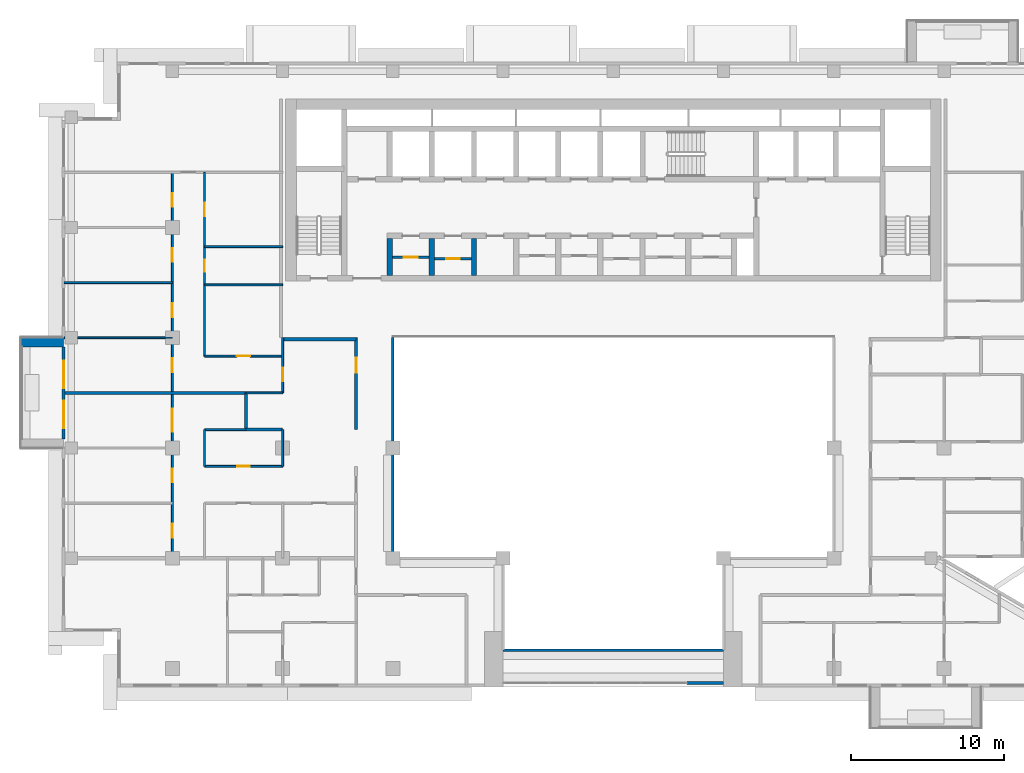
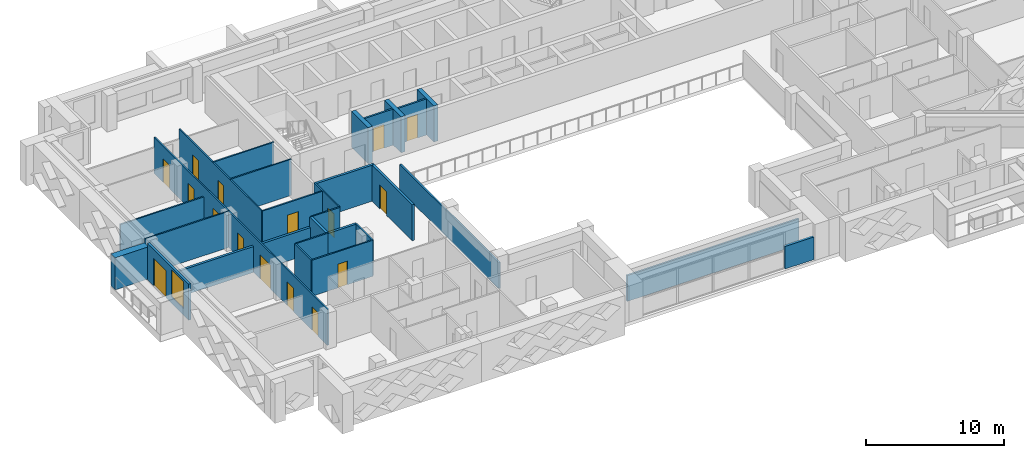
# One storey, part 7 of 20: 28 walls, 16 doors, 1 window, 17 openings.
"""IFC4 building model written with IfcOpenShell, lengths in metres."""

from ifc_helpers import new_model, si_unit, direction, frame, frame_2d, origin, place, context, subcontext, project, spatial, rectangle, extrude, material, layer, layer_set, type_object, element, fill, save


model = new_model("IFC4")

# Units and contexts
model_context = context("Model", 3, precision=1e-05, world=origin(), true_north=direction((0.0, 1.0)))
body_context = subcontext(model_context, "Body", "Model", "MODEL_VIEW")
ifc_project = project(units=[si_unit("LENGTHUNIT", "METRE"), si_unit("AREAUNIT", "SQUARE_METRE"), si_unit("VOLUMEUNIT", "CUBIC_METRE"), si_unit("PLANEANGLEUNIT", "RADIAN"), si_unit("MASSUNIT", "GRAM", prefix="KILO")], contexts=[model_context])

# Site, building, storey
site_placement = place(None, origin())
site = spatial("IfcSite", under=ifc_project, at=site_placement, CompositionType="ELEMENT")
building_placement = place(site_placement, origin())
building = spatial("IfcBuilding", under=site, at=building_placement, Name="Saffron Iwan Residences", CompositionType="ELEMENT")
storey_placement = place(building_placement, frame((0.0, 0.0, 185.0)))
storey = spatial("IfcBuildingStorey", under=building, at=storey_placement, Name="L49", CompositionType="ELEMENT", Elevation=185.0)

# Walls
ifc_material_1 = material(Name="Fire-rated glazing", Category="glass")
ifc_layer_1 = layer(ifc_material_1, 0.14990234375)
ifc_layer_set_1 = layer_set([ifc_layer_1], Name="Fire-rated glazing")
wall_type_1 = type_object("IfcWallType", Name="Atrium glazed screen 150", PredefinedType="SOLIDWALL", material=ifc_layer_set_1)
wall_1_placement = place(storey_placement, frame((43.199951171875, 42.0, 0.0), z_axis=(0.0, 0.0, 1.0), x_axis=(1.0, 0.0, 0.0)))
element("IfcWall", 1, at=wall_1_placement, inside=storey, type_object=wall_type_1, Name="W-L49-SCREEN-h42-43.2", PredefinedType="SOLIDWALL", context=body_context, shape_type="SweptSolid", body=[
    extrude(rectangle(XDim=14.400146484375, YDim=0.14990234375, at=frame_2d((7.2001953125, 0.0))), origin(), (0.0, 0.0, 1.0), 2.300048828125),
])
wall_2_placement = place(storey_placement, frame((36.0, 48.0, 0.0), z_axis=(0.0, 0.0, 1.0), x_axis=(0.0, 1.0, 0.0)))
element("IfcWall", 2, at=wall_2_placement, inside=storey, type_object=wall_type_1, Name="W-L49-SCREEN-v36-48", PredefinedType="SOLIDWALL", context=body_context, shape_type="SweptSolid", body=[
    extrude(rectangle(XDim=14.39990234375, YDim=0.14990234375, at=frame_2d((7.199951171875, 0.0))), origin(), (0.0, 0.0, 1.0), 2.300048828125),
])
ifc_material_2 = material(Name="Concrete C50/60 white painted", Category="concrete")
ifc_layer_2 = layer(ifc_material_2, 0.60009765625)
ifc_layer_set_2 = layer_set([ifc_layer_2], Name="Concrete C50/60 white painted")
wall_type_2 = type_object("IfcWallType", Name="BALCONY FIN 600", PredefinedType="SOLIDWALL", material=ifc_layer_set_2)
wall_3_placement = place(storey_placement, frame((14.5, 62.10009765625, 0.0), z_axis=(0.0, 0.0, 1.0), x_axis=(-1.0, 0.0, 0.0)))
element("IfcWall", 3, at=wall_3_placement, inside=storey, type_object=wall_type_2, Name="Balcony fin L49 F8-0a", PredefinedType="SOLIDWALL", context=body_context, shape_type="SweptSolid", body=[
    extrude(rectangle(XDim=2.800048828125, YDim=0.60009765625, at=frame_2d((1.39990234375, 0.0))), origin(), (0.0, 0.0, 1.0), 2.85009765625),
])

# Wall, opening, door
ifc_material_3 = material(Name="Fire-rated plasterboard partition")
ifc_layer_3 = layer(ifc_material_3, 0.14990234375)
ifc_layer_set_3 = layer_set([ifc_layer_3], Name="Fire-rated plasterboard partition")
wall_type_3 = type_object("IfcWallType", Name="Core partition 150", PredefinedType="PARTITIONING", material=ifc_layer_set_3)
wall_4_placement = place(storey_placement, frame((35.97509765625, 67.66259765625, 0.0), z_axis=(0.0, 0.0, 1.0), x_axis=(1.0, 0.0, 0.0)))
wall_4 = element("IfcWall", 4, at=wall_4_placement, inside=storey, type_object=wall_type_3, Name="Core partition P01", PredefinedType="PARTITIONING", context=body_context, shape_type="SweptSolid", body=[
    extrude(rectangle(XDim=2.39990234375, YDim=0.14990234375, at=frame_2d((1.199951171875, 0.0))), origin(), (0.0, 0.0, 1.0), 3.199951171875),
])
opening_1_placement = place(wall_4_placement, frame((0.75, 0.0, 0.0)))
opening_1 = element("IfcOpeningElement", 5, at=opening_1_placement, cuts=wall_4, Name="Opening SB", PredefinedType="OPENING", context=body_context, shape_type="SweptSolid", body=[
    extrude(rectangle(XDim=0.89990234375, YDim=2.10009765625, at=frame_2d((0.449951171875, 1.050048828125))), frame((0.0, 0.0849609375, 0.0), z_axis=(0.0, -1.0, 0.0), x_axis=(1.0, 0.0, 0.0)), (0.0, 0.0, 1.0), 0.169921875),
])
ifc_material_4 = material(Name="Steel fire door", Category="steel")
door_type_1 = type_object("IfcDoorType", Name="Store door 900", OperationType="NOTDEFINED", PredefinedType="DOOR", material=ifc_material_4)
door_1_placement = place(opening_1_placement, origin())
door_1 = element("IfcDoor", 6, at=door_1_placement, inside=storey, type_object=door_type_1, Name="Door Mop store", OperationType="SINGLE_SWING_RIGHT", OverallHeight=2.10009765625, OverallWidth=0.89990234375, PredefinedType="DOOR", context=body_context, shape_type="SweptSolid", body=[
    extrude(rectangle(XDim=0.89990234375, YDim=2.10009765625, at=frame_2d((0.449951171875, 1.050048828125))), frame((0.0, 0.02490234375, 0.0), z_axis=(0.0, -1.0, 0.0), x_axis=(1.0, 0.0, 0.0)), (0.0, 0.0, 1.0), 0.050048828125),
])
fill(opening_1, door_1)

wall_5_placement = place(storey_placement, frame((38.72509765625, 67.5654296875, 0.0), z_axis=(0.0, 0.0, 1.0), x_axis=(1.0, 0.0, 0.0)))
wall_5 = element("IfcWall", 7, at=wall_5_placement, inside=storey, type_object=wall_type_3, Name="Core partition P02", PredefinedType="PARTITIONING", context=body_context, shape_type="SweptSolid", body=[
    extrude(rectangle(XDim=2.39990234375, YDim=0.14990234375, at=frame_2d((1.199951171875, 0.0))), origin(), (0.0, 0.0, 1.0), 3.199951171875),
])
opening_2_placement = place(wall_5_placement, frame((0.75, 0.0, 0.0)))
opening_2 = element("IfcOpeningElement", 8, at=opening_2_placement, cuts=wall_5, Name="Opening SB", PredefinedType="OPENING", context=body_context, shape_type="SweptSolid", body=[
    extrude(rectangle(XDim=0.89990234375, YDim=2.10009765625, at=frame_2d((0.449951171875, 1.050048828125))), frame((0.0, 0.0849609375, 0.0), z_axis=(0.0, -1.0, 0.0), x_axis=(1.0, 0.0, 0.0)), (0.0, 0.0, 1.0), 0.169921875),
])
door_2_placement = place(opening_2_placement, origin())
door_2 = element("IfcDoor", 9, at=door_2_placement, inside=storey, type_object=door_type_1, Name="Door Spares store", OperationType="SINGLE_SWING_LEFT", OverallHeight=2.10009765625, OverallWidth=0.89990234375, PredefinedType="DOOR", context=body_context, shape_type="SweptSolid", body=[
    extrude(rectangle(XDim=0.89990234375, YDim=2.10009765625, at=frame_2d((0.449951171875, 1.050048828125))), frame((0.0, 0.02490234375, 0.0), z_axis=(0.0, -1.0, 0.0), x_axis=(1.0, 0.0, 0.0)), (0.0, 0.0, 1.0), 0.050048828125),
])
fill(opening_2, door_2)

# Wall, openings, door, window
ifc_material_5 = material(Name="Concrete C40/50", Category="concrete")
ifc_layer_4 = layer(ifc_material_5, 0.199951171875)
ifc_layer_set_4 = layer_set([ifc_layer_4], Name="Concrete C40/50")
wall_type_4 = type_object("IfcWallType", Name="EXTERNAL WALL 200", PredefinedType="SOLIDWALL", material=ifc_layer_set_4)
wall_6_placement = place(storey_placement, frame((14.5, 61.800048828125, 0.0), z_axis=(0.0, 0.0, 1.0), x_axis=(0.0, -1.0, 0.0)))
wall_6 = element("IfcWall", 10, at=wall_6_placement, inside=storey, type_object=wall_type_4, Name="External wall L49 F8.1", PredefinedType="SOLIDWALL", context=body_context, shape_type="SweptSolid", body=[
    extrude(rectangle(XDim=6.0, YDim=0.199951171875, at=frame_2d((3.0, 0.0))), origin(), (0.0, 0.0, 1.0), 3.199951171875),
])
opening_3_placement = place(wall_6_placement, frame((0.89990234375, 0.0, 0.0)))
opening_3 = element("IfcOpeningElement", 11, at=opening_3_placement, cuts=wall_6, Name="Opening BD1", PredefinedType="OPENING", context=body_context, shape_type="SweptSolid", body=[
    extrude(rectangle(XDim=1.800048828125, YDim=2.39990234375, at=frame_2d((0.89990234375, 1.199951171875))), frame((0.0, 0.10986328125, 0.0), z_axis=(0.0, -1.0, 0.0), x_axis=(1.0, 0.0, 0.0)), (0.0, 0.0, 1.0), 0.219970703125),
])
opening_4_placement = place(wall_6_placement, frame((3.5, 0.0, 0.60009765625)))
opening_4 = element("IfcOpeningElement", 12, at=opening_4_placement, cuts=wall_6, Name="Opening W8", PredefinedType="OPENING", context=body_context, shape_type="SweptSolid", body=[
    extrude(rectangle(XDim=1.800048828125, YDim=2.39990234375, at=frame_2d((0.89990234375, 1.199951171875))), frame((0.0, 0.10986328125, 0.0), z_axis=(0.0, -1.0, 0.0), x_axis=(1.0, 0.0, 0.0)), (0.0, 0.0, 1.0), 0.219970703125),
])
ifc_material_6 = material(Name="Clear glass, laminated double glazed", Category="glass")
door_type_2 = type_object("IfcDoorType", Name="BALCONY DOOR 1800 x 2400", OperationType="DOUBLE_DOOR_SLIDING", PredefinedType="DOOR", material=ifc_material_6)
door_3_placement = place(opening_3_placement, origin())
door_3 = element("IfcDoor", 13, at=door_3_placement, inside=storey, type_object=door_type_2, Name="Balcony door L49 F8.0", OperationType="DOUBLE_DOOR_SLIDING", OverallHeight=2.39990234375, OverallWidth=1.800048828125, PredefinedType="DOOR", context=body_context, shape_type="SweptSolid", body=[
    extrude(rectangle(XDim=1.800048828125, YDim=2.39990234375, at=frame_2d((0.89990234375, 1.199951171875))), frame((0.0, 0.02490234375, 0.0), z_axis=(0.0, -1.0, 0.0), x_axis=(1.0, 0.0, 0.0)), (0.0, 0.0, 1.0), 0.050048828125),
])
fill(opening_3, door_3)
window_type = type_object("IfcWindowType", Name="WINDOW 1800 x 2400", PartitioningType="DOUBLE_PANEL_VERTICAL", PredefinedType="WINDOW", material=ifc_material_6)
window_placement = place(opening_4_placement, origin())
window = element("IfcWindow", 14, at=window_placement, inside=storey, type_object=window_type, Name="Window L49 F8.1", OverallHeight=2.39990234375, OverallWidth=1.800048828125, PartitioningType="DOUBLE_PANEL_VERTICAL", PredefinedType="WINDOW", context=body_context, shape_type="SweptSolid", body=[
    extrude(rectangle(XDim=1.800048828125, YDim=2.39990234375, at=frame_2d((0.89990234375, 1.199951171875))), frame((0.0, 0.030029296875, 0.0), z_axis=(0.0, -1.0, 0.0), x_axis=(1.0, 0.0, 0.0)), (0.0, 0.0, 1.0), 0.06005859375),
])
fill(opening_4, window)

# Walls
wall_7_placement = place(storey_placement, frame((55.199951171875, 39.85009765625, 0.0), z_axis=(0.0, 0.0, 1.0), x_axis=(1.0, 0.0, 0.0)))
element("IfcWall", 15, at=wall_7_placement, inside=storey, type_object=wall_type_4, Name="External wall infill CWB-L49-0", PredefinedType="SOLIDWALL", context=body_context, shape_type="SweptSolid", body=[
    extrude(rectangle(XDim=2.400146484375, YDim=0.199951171875, at=frame_2d((1.2001953125, 0.0))), origin(), (0.0, 0.0, 1.0), 2.0),
])
ifc_material_7 = material(Name="Fire-rated gypsum board wall")
ifc_layer_5 = layer(ifc_material_7, 0.199951171875)
ifc_layer_set_5 = layer_set([ifc_layer_5], Name="Fire-rated gypsum board wall")
wall_type_5 = type_object("IfcWallType", Name="Flat demising wall 200", PredefinedType="SOLIDWALL", material=ifc_layer_set_5)
wall_8_placement = place(storey_placement, frame((26.39990234375, 56.39990234375, 0.0), z_axis=(0.0, 0.0, 1.0), x_axis=(1.0, 0.0, 0.0)))
element("IfcWall", 16, at=wall_8_placement, inside=storey, type_object=wall_type_5, Name="W-L49-DEMISE-h56.4-26.4", PredefinedType="SOLIDWALL", context=body_context, shape_type="SweptSolid", body=[
    extrude(rectangle(XDim=2.400146484375, YDim=0.199951171875, at=frame_2d((1.2001953125, 0.0))), origin(), (0.0, 0.0, 1.0), 3.199951171875),
])
wall_9_placement = place(storey_placement, frame((14.52490234375, 58.800048828125, 0.0), z_axis=(0.0, 0.0, 1.0), x_axis=(1.0, 0.0, 0.0)))
element("IfcWall", 17, at=wall_9_placement, inside=storey, type_object=wall_type_5, Name="W-L49-DEMISE-h58.8-14.525", PredefinedType="SOLIDWALL", context=body_context, shape_type="SweptSolid", body=[
    extrude(rectangle(XDim=11.875, YDim=0.199951171875, at=frame_2d((5.9375, 0.0))), origin(), (0.0, 0.0, 1.0), 2.300048828125),
])
wall_10_placement = place(storey_placement, frame((26.39990234375, 56.39990234375, 0.0), z_axis=(0.0, 0.0, 1.0), x_axis=(0.0, 1.0, 0.0)))
element("IfcWall", 18, at=wall_10_placement, inside=storey, type_object=wall_type_5, Name="W-L49-DEMISE-v26.4-56.4", PredefinedType="SOLIDWALL", context=body_context, shape_type="SweptSolid", body=[
    extrude(rectangle(XDim=2.400146484375, YDim=0.199951171875, at=frame_2d((1.2001953125, 0.0))), origin(), (0.0, 0.0, 1.0), 3.199951171875),
])

# Wall, opening, door
ifc_material_8 = material(Name="Gypsum board partition")
ifc_layer_6 = layer(ifc_material_8, 0.1201171875)
ifc_layer_set_6 = layer_set([ifc_layer_6], Name="Gypsum board partition")
wall_type_6 = type_object("IfcWallType", Name="Flat partition 120", PredefinedType="PARTITIONING", material=ifc_layer_set_6)
wall_11_placement = place(storey_placement, frame((23.699951171875, 54.0, 0.0), z_axis=(0.0, 0.0, 1.0), x_axis=(1.0, 0.0, 0.0)))
wall_11 = element("IfcWall", 19, at=wall_11_placement, inside=storey, type_object=wall_type_6, Name="W-L49-PART-h54-23.7", PredefinedType="PARTITIONING", context=body_context, shape_type="SweptSolid", body=[
    extrude(rectangle(XDim=5.10009765625, YDim=0.1201171875, at=frame_2d((2.550048828125, 0.0))), origin(), (0.0, 0.0, 1.0), 3.199951171875),
])
opening_5_placement = place(wall_11_placement, frame((2.14990234375, 0.0, 0.0)))
opening_5 = element("IfcOpeningElement", 20, at=opening_5_placement, cuts=wall_11, Name="Opening FD3", PredefinedType="OPENING", context=body_context, shape_type="SweptSolid", body=[
    extrude(rectangle(XDim=0.800048828125, YDim=2.10009765625, at=frame_2d((0.39990234375, 1.050048828125))), frame((0.0, 0.070068359375, 0.0), z_axis=(0.0, -1.0, 0.0), x_axis=(1.0, 0.0, 0.0)), (0.0, 0.0, 1.0), 0.14013671875),
])
ifc_material_9 = material(Name="Timber door", Category="wood")
door_type_3 = type_object("IfcDoorType", Name="Bathroom door 800", OperationType="NOTDEFINED", PredefinedType="DOOR", material=ifc_material_9)
door_4_placement = place(opening_5_placement, origin())
door_4 = element("IfcDoor", 21, at=door_4_placement, inside=storey, type_object=door_type_3, Name="Door L49-013", OperationType="SINGLE_SWING_LEFT", OverallHeight=2.10009765625, OverallWidth=0.800048828125, PredefinedType="DOOR", context=body_context, shape_type="SweptSolid", body=[
    extrude(rectangle(XDim=0.800048828125, YDim=2.10009765625, at=frame_2d((0.39990234375, 1.050048828125))), frame((0.0, 0.02490234375, 0.0), z_axis=(0.0, -1.0, 0.0), x_axis=(1.0, 0.0, 0.0)), (0.0, 0.0, 1.0), 0.050048828125),
])
fill(opening_5, door_4)

# Walls
wall_12_placement = place(storey_placement, frame((23.699951171875, 56.39990234375, 0.0), z_axis=(0.0, 0.0, 1.0), x_axis=(1.0, 0.0, 0.0)))
element("IfcWall", 22, at=wall_12_placement, inside=storey, type_object=wall_type_6, Name="W-L49-PART-h56.4-23.7", PredefinedType="PARTITIONING", context=body_context, shape_type="SweptSolid", body=[
    extrude(rectangle(XDim=2.699951171875, YDim=0.1201171875, at=frame_2d((1.35009765625, 0.0))), origin(), (0.0, 0.0, 1.0), 3.199951171875),
])
wall_13_placement = place(storey_placement, frame((26.39990234375, 58.800048828125, 0.0), z_axis=(0.0, 0.0, 1.0), x_axis=(1.0, 0.0, 0.0)))
element("IfcWall", 23, at=wall_13_placement, inside=storey, type_object=wall_type_6, Name="W-L49-PART-h58.8-26.4", PredefinedType="PARTITIONING", context=body_context, shape_type="SweptSolid", body=[
    extrude(rectangle(XDim=2.400146484375, YDim=0.1201171875, at=frame_2d((1.2001953125, 0.0))), origin(), (0.0, 0.0, 1.0), 3.199951171875),
])

# Wall, opening, door
wall_14_placement = place(storey_placement, frame((23.699951171875, 61.199951171875, 0.0), z_axis=(0.0, 0.0, 1.0), x_axis=(1.0, 0.0, 0.0)))
wall_14 = element("IfcWall", 24, at=wall_14_placement, inside=storey, type_object=wall_type_6, Name="W-L49-PART-h61.2-23.7", PredefinedType="PARTITIONING", context=body_context, shape_type="SweptSolid", body=[
    extrude(rectangle(XDim=5.10009765625, YDim=0.1201171875, at=frame_2d((2.550048828125, 0.0))), origin(), (0.0, 0.0, 1.0), 3.199951171875),
])
opening_6_placement = place(wall_14_placement, frame((2.10009765625, 0.0, 0.0)))
opening_6 = element("IfcOpeningElement", 25, at=opening_6_placement, cuts=wall_14, Name="Opening FD2", PredefinedType="OPENING", context=body_context, shape_type="SweptSolid", body=[
    extrude(rectangle(XDim=0.89990234375, YDim=2.10009765625, at=frame_2d((0.449951171875, 1.050048828125))), frame((0.0, 0.070068359375, 0.0), z_axis=(0.0, -1.0, 0.0), x_axis=(1.0, 0.0, 0.0)), (0.0, 0.0, 1.0), 0.14013671875),
])
door_type_4 = type_object("IfcDoorType", Name="Flat door 900", OperationType="NOTDEFINED", PredefinedType="DOOR", material=ifc_material_9)
door_5_placement = place(opening_6_placement, origin())
door_5 = element("IfcDoor", 26, at=door_5_placement, inside=storey, type_object=door_type_4, Name="Door L49-031", OperationType="SINGLE_SWING_LEFT", OverallHeight=2.10009765625, OverallWidth=0.89990234375, PredefinedType="DOOR", context=body_context, shape_type="SweptSolid", body=[
    extrude(rectangle(XDim=0.89990234375, YDim=2.10009765625, at=frame_2d((0.449951171875, 1.050048828125))), frame((0.0, 0.02490234375, 0.0), z_axis=(0.0, -1.0, 0.0), x_axis=(1.0, 0.0, 0.0)), (0.0, 0.0, 1.0), 0.050048828125),
])
fill(opening_6, door_5)

# Walls
wall_15_placement = place(storey_placement, frame((14.52490234375, 62.39990234375, 0.0), z_axis=(0.0, 0.0, 1.0), x_axis=(1.0, 0.0, 0.0)))
element("IfcWall", 27, at=wall_15_placement, inside=storey, type_object=wall_type_6, Name="W-L49-PART-h62.4-14.525", PredefinedType="PARTITIONING", context=body_context, shape_type="SweptSolid", body=[
    extrude(rectangle(XDim=7.0751953125, YDim=0.1201171875, at=frame_2d((3.53759765625, 0.0))), origin(), (0.0, 0.0, 1.0), 3.199951171875),
])
wall_16_placement = place(storey_placement, frame((23.699951171875, 65.85009765625, 0.0), z_axis=(0.0, 0.0, 1.0), x_axis=(1.0, 0.0, 0.0)))
element("IfcWall", 28, at=wall_16_placement, inside=storey, type_object=wall_type_6, Name="W-L49-PART-h65.85-23.7", PredefinedType="PARTITIONING", context=body_context, shape_type="SweptSolid", body=[
    extrude(rectangle(XDim=5.10009765625, YDim=0.1201171875, at=frame_2d((2.550048828125, 0.0))), origin(), (0.0, 0.0, 1.0), 3.199951171875),
])
wall_17_placement = place(storey_placement, frame((14.52490234375, 66.0, 0.0), z_axis=(0.0, 0.0, 1.0), x_axis=(1.0, 0.0, 0.0)))
element("IfcWall", 29, at=wall_17_placement, inside=storey, type_object=wall_type_6, Name="W-L49-PART-h66-14.525", PredefinedType="PARTITIONING", context=body_context, shape_type="SweptSolid", body=[
    extrude(rectangle(XDim=7.0751953125, YDim=0.1201171875, at=frame_2d((3.53759765625, 0.0))), origin(), (0.0, 0.0, 1.0), 2.300048828125),
])
wall_18_placement = place(storey_placement, frame((23.699951171875, 68.35009765625, 0.0), z_axis=(0.0, 0.0, 1.0), x_axis=(1.0, 0.0, 0.0)))
element("IfcWall", 30, at=wall_18_placement, inside=storey, type_object=wall_type_6, Name="W-L49-PART-h68.35-23.7", PredefinedType="PARTITIONING", context=body_context, shape_type="SweptSolid", body=[
    extrude(rectangle(XDim=5.10009765625, YDim=0.1201171875, at=frame_2d((2.550048828125, 0.0))), origin(), (0.0, 0.0, 1.0), 3.199951171875),
])

# Wall, openings, doors
wall_19_placement = place(storey_placement, frame((21.60009765625, 48.0, 0.0), z_axis=(0.0, 0.0, 1.0), x_axis=(0.0, 1.0, 0.0)))
wall_19 = element("IfcWall", 31, at=wall_19_placement, inside=storey, type_object=wall_type_6, Name="W-L49-PART-v21.6-48", PredefinedType="PARTITIONING", context=body_context, shape_type="SweptSolid", body=[
    extrude(rectangle(XDim=25.199951171875, YDim=0.1201171875, at=frame_2d((12.60009765625, 0.0))), origin(), (0.0, 0.0, 1.0), 3.199951171875),
])
opening_7_placement = place(wall_19_placement, frame((1.35009765625, 0.0, 0.0)))
opening_7 = element("IfcOpeningElement", 32, at=opening_7_placement, cuts=wall_19, Name="Opening FD2", PredefinedType="OPENING", context=body_context, shape_type="SweptSolid", body=[
    extrude(rectangle(XDim=0.89990234375, YDim=2.10009765625, at=frame_2d((0.449951171875, 1.050048828125))), frame((0.0, 0.070068359375, 0.0), z_axis=(0.0, -1.0, 0.0), x_axis=(1.0, 0.0, 0.0)), (0.0, 0.0, 1.0), 0.14013671875),
])
opening_8_placement = place(wall_19_placement, frame((4.949951171875, 0.0, 0.0)))
opening_8 = element("IfcOpeningElement", 33, at=opening_8_placement, cuts=wall_19, Name="Opening FD2", PredefinedType="OPENING", context=body_context, shape_type="SweptSolid", body=[
    extrude(rectangle(XDim=0.89990234375, YDim=2.10009765625, at=frame_2d((0.449951171875, 1.050048828125))), frame((0.0, 0.070068359375, 0.0), z_axis=(0.0, -1.0, 0.0), x_axis=(1.0, 0.0, 0.0)), (0.0, 0.0, 1.0), 0.14013671875),
])
opening_9_placement = place(wall_19_placement, frame((8.25, 0.0, 0.0)))
opening_9 = element("IfcOpeningElement", 34, at=opening_9_placement, cuts=wall_19, Name="Opening FD4", PredefinedType="OPENING", context=body_context, shape_type="SweptSolid", body=[
    extrude(rectangle(XDim=1.5, YDim=2.10009765625, at=frame_2d((0.75, 1.050048828125))), frame((0.0, 0.070068359375, 0.0), z_axis=(0.0, -1.0, 0.0), x_axis=(1.0, 0.0, 0.0)), (0.0, 0.0, 1.0), 0.14013671875),
])
opening_10_placement = place(wall_19_placement, frame((12.14990234375, 0.0, 0.0)))
opening_10 = element("IfcOpeningElement", 35, at=opening_10_placement, cuts=wall_19, Name="Opening FD2", PredefinedType="OPENING", context=body_context, shape_type="SweptSolid", body=[
    extrude(rectangle(XDim=0.89990234375, YDim=2.10009765625, at=frame_2d((0.449951171875, 1.050048828125))), frame((0.0, 0.070068359375, 0.0), z_axis=(0.0, -1.0, 0.0), x_axis=(1.0, 0.0, 0.0)), (0.0, 0.0, 1.0), 0.14013671875),
])
opening_11_placement = place(wall_19_placement, frame((15.75, 0.0, 0.0)))
opening_11 = element("IfcOpeningElement", 36, at=opening_11_placement, cuts=wall_19, Name="Opening FD2", PredefinedType="OPENING", context=body_context, shape_type="SweptSolid", body=[
    extrude(rectangle(XDim=0.89990234375, YDim=2.10009765625, at=frame_2d((0.449951171875, 1.050048828125))), frame((0.0, 0.070068359375, 0.0), z_axis=(0.0, -1.0, 0.0), x_axis=(1.0, 0.0, 0.0)), (0.0, 0.0, 1.0), 0.14013671875),
])
opening_12_placement = place(wall_19_placement, frame((19.35009765625, 0.0, 0.0)))
opening_12 = element("IfcOpeningElement", 37, at=opening_12_placement, cuts=wall_19, Name="Opening FD2", PredefinedType="OPENING", context=body_context, shape_type="SweptSolid", body=[
    extrude(rectangle(XDim=0.89990234375, YDim=2.10009765625, at=frame_2d((0.449951171875, 1.050048828125))), frame((0.0, 0.070068359375, 0.0), z_axis=(0.0, -1.0, 0.0), x_axis=(1.0, 0.0, 0.0)), (0.0, 0.0, 1.0), 0.14013671875),
])
opening_13_placement = place(wall_19_placement, frame((22.949951171875, 0.0, 0.0)))
opening_13 = element("IfcOpeningElement", 38, at=opening_13_placement, cuts=wall_19, Name="Opening FD2", PredefinedType="OPENING", context=body_context, shape_type="SweptSolid", body=[
    extrude(rectangle(XDim=0.89990234375, YDim=2.10009765625, at=frame_2d((0.449951171875, 1.050048828125))), frame((0.0, 0.070068359375, 0.0), z_axis=(0.0, -1.0, 0.0), x_axis=(1.0, 0.0, 0.0)), (0.0, 0.0, 1.0), 0.14013671875),
])
door_type_5 = type_object("IfcDoorType", Name="Double door 1500", OperationType="NOTDEFINED", PredefinedType="DOOR", material=ifc_material_9)
door_6_placement = place(opening_9_placement, origin())
door_6 = element("IfcDoor", 39, at=door_6_placement, inside=storey, type_object=door_type_5, Name="Door L49-011", OperationType="SINGLE_SWING_LEFT", OverallHeight=2.10009765625, OverallWidth=1.5, PredefinedType="DOOR", context=body_context, shape_type="SweptSolid", body=[
    extrude(rectangle(XDim=1.5, YDim=2.10009765625, at=frame_2d((0.75, 1.050048828125))), frame((0.0, 0.02490234375, 0.0), z_axis=(0.0, -1.0, 0.0), x_axis=(1.0, 0.0, 0.0)), (0.0, 0.0, 1.0), 0.050048828125),
])
fill(opening_9, door_6)
door_7_placement = place(opening_7_placement, origin())
door_7 = element("IfcDoor", 40, at=door_7_placement, inside=storey, type_object=door_type_4, Name="Door L49-009", OperationType="SINGLE_SWING_RIGHT", OverallHeight=2.10009765625, OverallWidth=0.89990234375, PredefinedType="DOOR", context=body_context, shape_type="SweptSolid", body=[
    extrude(rectangle(XDim=0.89990234375, YDim=2.10009765625, at=frame_2d((0.449951171875, 1.050048828125))), frame((0.0, 0.02490234375, 0.0), z_axis=(0.0, -1.0, 0.0), x_axis=(1.0, 0.0, 0.0)), (0.0, 0.0, 1.0), 0.050048828125),
])
fill(opening_7, door_7)
door_8_placement = place(opening_8_placement, origin())
door_8 = element("IfcDoor", 41, at=door_8_placement, inside=storey, type_object=door_type_4, Name="Door L49-010", OperationType="SINGLE_SWING_LEFT", OverallHeight=2.10009765625, OverallWidth=0.89990234375, PredefinedType="DOOR", context=body_context, shape_type="SweptSolid", body=[
    extrude(rectangle(XDim=0.89990234375, YDim=2.10009765625, at=frame_2d((0.449951171875, 1.050048828125))), frame((0.0, 0.02490234375, 0.0), z_axis=(0.0, -1.0, 0.0), x_axis=(1.0, 0.0, 0.0)), (0.0, 0.0, 1.0), 0.050048828125),
])
fill(opening_8, door_8)
door_9_placement = place(opening_10_placement, origin())
door_9 = element("IfcDoor", 42, at=door_9_placement, inside=storey, type_object=door_type_4, Name="Door L49-026", OperationType="SINGLE_SWING_LEFT", OverallHeight=2.10009765625, OverallWidth=0.89990234375, PredefinedType="DOOR", context=body_context, shape_type="SweptSolid", body=[
    extrude(rectangle(XDim=0.89990234375, YDim=2.10009765625, at=frame_2d((0.449951171875, 1.050048828125))), frame((0.0, 0.02490234375, 0.0), z_axis=(0.0, -1.0, 0.0), x_axis=(1.0, 0.0, 0.0)), (0.0, 0.0, 1.0), 0.050048828125),
])
fill(opening_10, door_9)
door_10_placement = place(opening_11_placement, origin())
door_10 = element("IfcDoor", 43, at=door_10_placement, inside=storey, type_object=door_type_4, Name="Door L49-027", OperationType="SINGLE_SWING_RIGHT", OverallHeight=2.10009765625, OverallWidth=0.89990234375, PredefinedType="DOOR", context=body_context, shape_type="SweptSolid", body=[
    extrude(rectangle(XDim=0.89990234375, YDim=2.10009765625, at=frame_2d((0.449951171875, 1.050048828125))), frame((0.0, 0.02490234375, 0.0), z_axis=(0.0, -1.0, 0.0), x_axis=(1.0, 0.0, 0.0)), (0.0, 0.0, 1.0), 0.050048828125),
])
fill(opening_11, door_10)
door_11_placement = place(opening_12_placement, origin())
door_11 = element("IfcDoor", 44, at=door_11_placement, inside=storey, type_object=door_type_4, Name="Door L49-028", OperationType="SINGLE_SWING_LEFT", OverallHeight=2.10009765625, OverallWidth=0.89990234375, PredefinedType="DOOR", context=body_context, shape_type="SweptSolid", body=[
    extrude(rectangle(XDim=0.89990234375, YDim=2.10009765625, at=frame_2d((0.449951171875, 1.050048828125))), frame((0.0, 0.02490234375, 0.0), z_axis=(0.0, -1.0, 0.0), x_axis=(1.0, 0.0, 0.0)), (0.0, 0.0, 1.0), 0.050048828125),
])
fill(opening_12, door_11)
door_12_placement = place(opening_13_placement, origin())
door_12 = element("IfcDoor", 45, at=door_12_placement, inside=storey, type_object=door_type_4, Name="Door L49-029", OperationType="SINGLE_SWING_LEFT", OverallHeight=2.10009765625, OverallWidth=0.89990234375, PredefinedType="DOOR", context=body_context, shape_type="SweptSolid", body=[
    extrude(rectangle(XDim=0.89990234375, YDim=2.10009765625, at=frame_2d((0.449951171875, 1.050048828125))), frame((0.0, 0.02490234375, 0.0), z_axis=(0.0, -1.0, 0.0), x_axis=(1.0, 0.0, 0.0)), (0.0, 0.0, 1.0), 0.050048828125),
])
fill(opening_13, door_12)

# Wall
wall_20_placement = place(storey_placement, frame((23.699951171875, 54.0, 0.0), z_axis=(0.0, 0.0, 1.0), x_axis=(0.0, 1.0, 0.0)))
element("IfcWall", 46, at=wall_20_placement, inside=storey, type_object=wall_type_6, Name="W-L49-PART-v23.7-54", PredefinedType="PARTITIONING", context=body_context, shape_type="SweptSolid", body=[
    extrude(rectangle(XDim=2.39990234375, YDim=0.1201171875, at=frame_2d((1.199951171875, 0.0))), origin(), (0.0, 0.0, 1.0), 3.199951171875),
])

# Wall, openings, doors
wall_21_placement = place(storey_placement, frame((23.699951171875, 61.199951171875, 0.0), z_axis=(0.0, 0.0, 1.0), x_axis=(0.0, 1.0, 0.0)))
wall_21 = element("IfcWall", 47, at=wall_21_placement, inside=storey, type_object=wall_type_6, Name="W-L49-PART-v23.7-61.2", PredefinedType="PARTITIONING", context=body_context, shape_type="SweptSolid", body=[
    extrude(rectangle(XDim=12.0, YDim=0.1201171875, at=frame_2d((6.0, 0.0))), origin(), (0.0, 0.0, 1.0), 3.199951171875),
])
opening_14_placement = place(wall_21_placement, frame((5.5, 0.0, 0.0)))
opening_14 = element("IfcOpeningElement", 48, at=opening_14_placement, cuts=wall_21, Name="Opening FD3", PredefinedType="OPENING", context=body_context, shape_type="SweptSolid", body=[
    extrude(rectangle(XDim=0.800048828125, YDim=2.10009765625, at=frame_2d((0.39990234375, 1.050048828125))), frame((0.0, 0.070068359375, 0.0), z_axis=(0.0, -1.0, 0.0), x_axis=(1.0, 0.0, 0.0)), (0.0, 0.0, 1.0), 0.14013671875),
])
opening_15_placement = place(wall_21_placement, frame((9.125, 0.0, 0.0)))
opening_15 = element("IfcOpeningElement", 49, at=opening_15_placement, cuts=wall_21, Name="Opening FD2", PredefinedType="OPENING", context=body_context, shape_type="SweptSolid", body=[
    extrude(rectangle(XDim=0.89990234375, YDim=2.10009765625, at=frame_2d((0.449951171875, 1.050048828125))), frame((0.0, 0.070068359375, 0.0), z_axis=(0.0, -1.0, 0.0), x_axis=(1.0, 0.0, 0.0)), (0.0, 0.0, 1.0), 0.14013671875),
])
door_13_placement = place(opening_14_placement, origin())
door_13 = element("IfcDoor", 50, at=door_13_placement, inside=storey, type_object=door_type_3, Name="Door L49-032", OperationType="SINGLE_SWING_LEFT", OverallHeight=2.10009765625, OverallWidth=0.800048828125, PredefinedType="DOOR", context=body_context, shape_type="SweptSolid", body=[
    extrude(rectangle(XDim=0.800048828125, YDim=2.10009765625, at=frame_2d((0.39990234375, 1.050048828125))), frame((0.0, 0.02490234375, 0.0), z_axis=(0.0, -1.0, 0.0), x_axis=(1.0, 0.0, 0.0)), (0.0, 0.0, 1.0), 0.050048828125),
])
fill(opening_14, door_13)
door_14_placement = place(opening_15_placement, origin())
door_14 = element("IfcDoor", 51, at=door_14_placement, inside=storey, type_object=door_type_4, Name="Door L49-033", OperationType="SINGLE_SWING_RIGHT", OverallHeight=2.10009765625, OverallWidth=0.89990234375, PredefinedType="DOOR", context=body_context, shape_type="SweptSolid", body=[
    extrude(rectangle(XDim=0.89990234375, YDim=2.10009765625, at=frame_2d((0.449951171875, 1.050048828125))), frame((0.0, 0.02490234375, 0.0), z_axis=(0.0, -1.0, 0.0), x_axis=(1.0, 0.0, 0.0)), (0.0, 0.0, 1.0), 0.050048828125),
])
fill(opening_15, door_14)

# Wall
wall_22_placement = place(storey_placement, frame((28.800048828125, 54.0, 0.0), z_axis=(0.0, 0.0, 1.0), x_axis=(0.0, 1.0, 0.0)))
element("IfcWall", 52, at=wall_22_placement, inside=storey, type_object=wall_type_6, Name="W-L49-PART-v28.8-54", PredefinedType="PARTITIONING", context=body_context, shape_type="SweptSolid", body=[
    extrude(rectangle(XDim=2.39990234375, YDim=0.1201171875, at=frame_2d((1.199951171875, 0.0))), origin(), (0.0, 0.0, 1.0), 3.199951171875),
])

# Wall, opening, door
wall_23_placement = place(storey_placement, frame((28.800048828125, 58.800048828125, 0.0), z_axis=(0.0, 0.0, 1.0), x_axis=(0.0, 1.0, 0.0)))
wall_23 = element("IfcWall", 53, at=wall_23_placement, inside=storey, type_object=wall_type_6, Name="W-L49-PART-v28.8-58.8", PredefinedType="PARTITIONING", context=body_context, shape_type="SweptSolid", body=[
    extrude(rectangle(XDim=3.599853515625, YDim=0.1201171875, at=frame_2d((1.7998046875, 0.0))), origin(), (0.0, 0.0, 1.0), 3.199951171875),
])
opening_16_placement = place(wall_23_placement, frame((0.75, 0.0, 0.0)))
opening_16 = element("IfcOpeningElement", 54, at=opening_16_placement, cuts=wall_23, Name="Opening FD2", PredefinedType="OPENING", context=body_context, shape_type="SweptSolid", body=[
    extrude(rectangle(XDim=0.89990234375, YDim=2.10009765625, at=frame_2d((0.449951171875, 1.050048828125))), frame((0.0, 0.070068359375, 0.0), z_axis=(0.0, -1.0, 0.0), x_axis=(1.0, 0.0, 0.0)), (0.0, 0.0, 1.0), 0.14013671875),
])
door_15_placement = place(opening_16_placement, origin())
door_15 = element("IfcDoor", 55, at=door_15_placement, inside=storey, type_object=door_type_4, Name="Door L49-024", OperationType="SINGLE_SWING_RIGHT", OverallHeight=2.10009765625, OverallWidth=0.89990234375, PredefinedType="DOOR", context=body_context, shape_type="SweptSolid", body=[
    extrude(rectangle(XDim=0.89990234375, YDim=2.10009765625, at=frame_2d((0.449951171875, 1.050048828125))), frame((0.0, 0.02490234375, 0.0), z_axis=(0.0, -1.0, 0.0), x_axis=(1.0, 0.0, 0.0)), (0.0, 0.0, 1.0), 0.050048828125),
])
fill(opening_16, door_15)

# Wall
ifc_layer_7 = layer(ifc_material_7, 0.199951171875)
ifc_layer_set_7 = layer_set([ifc_layer_7], Name="Fire-rated gypsum board wall")
wall_type_7 = type_object("IfcWallType", Name="Gallery wall 200", PredefinedType="SOLIDWALL", material=ifc_layer_set_7)
wall_24_placement = place(storey_placement, frame((28.800048828125, 62.300048828125, 0.0), z_axis=(0.0, 0.0, 1.0), x_axis=(1.0, 0.0, 0.0)))
element("IfcWall", 56, at=wall_24_placement, inside=storey, type_object=wall_type_7, Name="W-L49-CORR-h62.4-28.8", PredefinedType="SOLIDWALL", context=body_context, shape_type="SweptSolid", body=[
    extrude(rectangle(XDim=4.800048828125, YDim=0.199951171875, at=frame_2d((2.39990234375, 0.0))), origin(), (0.0, 0.0, 1.0), 3.199951171875),
])

# Wall, opening, door
wall_25_placement = place(storey_placement, frame((33.60009765625, 56.39990234375, 0.0), z_axis=(0.0, 0.0, 1.0), x_axis=(0.0, 1.0, 0.0)))
wall_25 = element("IfcWall", 57, at=wall_25_placement, inside=storey, type_object=wall_type_7, Name="W-L49-CORR-v33.6-56.4", PredefinedType="SOLIDWALL", context=body_context, shape_type="SweptSolid", body=[
    extrude(rectangle(XDim=6.0, YDim=0.199951171875, at=frame_2d((3.0, 0.0))), origin(), (0.0, 0.0, 1.0), 3.199951171875),
])
opening_17_placement = place(wall_25_placement, frame((3.699951171875, 0.0, 0.0)))
opening_17 = element("IfcOpeningElement", 58, at=opening_17_placement, cuts=wall_25, Name="Opening FD5", PredefinedType="OPENING", context=body_context, shape_type="SweptSolid", body=[
    extrude(rectangle(XDim=1.0, YDim=2.10009765625, at=frame_2d((0.5, 1.050048828125))), frame((0.0, 0.10986328125, 0.0), z_axis=(0.0, -1.0, 0.0), x_axis=(1.0, 0.0, 0.0)), (0.0, 0.0, 1.0), 0.219970703125),
])
ifc_material_10 = material(Name="Fire-rated timber door", Category="wood")
door_type_6 = type_object("IfcDoorType", Name="Lobby door 1000", OperationType="NOTDEFINED", PredefinedType="DOOR", material=ifc_material_10)
door_16_placement = place(opening_17_placement, origin())
door_16 = element("IfcDoor", 59, at=door_16_placement, inside=storey, type_object=door_type_6, Name="Door L49-025", OperationType="SINGLE_SWING_LEFT", OverallHeight=2.10009765625, OverallWidth=1.0, PredefinedType="DOOR", context=body_context, shape_type="SweptSolid", body=[
    extrude(rectangle(XDim=1.0, YDim=2.10009765625, at=frame_2d((0.5, 1.050048828125))), frame((0.0, 0.02490234375, 0.0), z_axis=(0.0, -1.0, 0.0), x_axis=(1.0, 0.0, 0.0)), (0.0, 0.0, 1.0), 0.050048828125),
])
fill(opening_17, door_16)

# Walls
ifc_material_11 = material(Name="Concrete C50/60", Category="concrete")
ifc_layer_8 = layer(ifc_material_11, 0.35009765625)
ifc_layer_set_8 = layer_set([ifc_layer_8], Name="Concrete C50/60")
wall_type_8 = type_object("IfcWallType", Name="WALL CORE 350 C50/60 3200 HIGH", PredefinedType="SHEAR", material=ifc_layer_set_8)
for number, where, z_axis, x_axis, name in (
    (60, (35.800048828125, 66.449951171875, 0.0), (0.0, 0.0, 1.0), (0.0, 1.0, 0.0), "Core wall"),
    (61, (38.550048828125, 66.449951171875, 0.0), (0.0, 0.0, 1.0), (0.0, 1.0, 0.0), "Core wall"),
    (62, (41.300048828125, 66.449951171875, 0.0), (0.0, 0.0, 1.0), (0.0, 1.0, 0.0), "Core wall"),
):
    element("IfcWall", number, at=place(storey_placement, frame(where, z_axis=z_axis, x_axis=x_axis)), inside=storey, type_object=wall_type_8, Name=name, PredefinedType="SHEAR", context=body_context, shape_type="SweptSolid", body=[
        extrude(rectangle(XDim=2.425048828125, YDim=0.35009765625, at=frame_2d((1.21240234375, 0.0))), origin(), (0.0, 0.0, 1.0), 3.199951171875),
    ])

save(model, "model.ifc")
